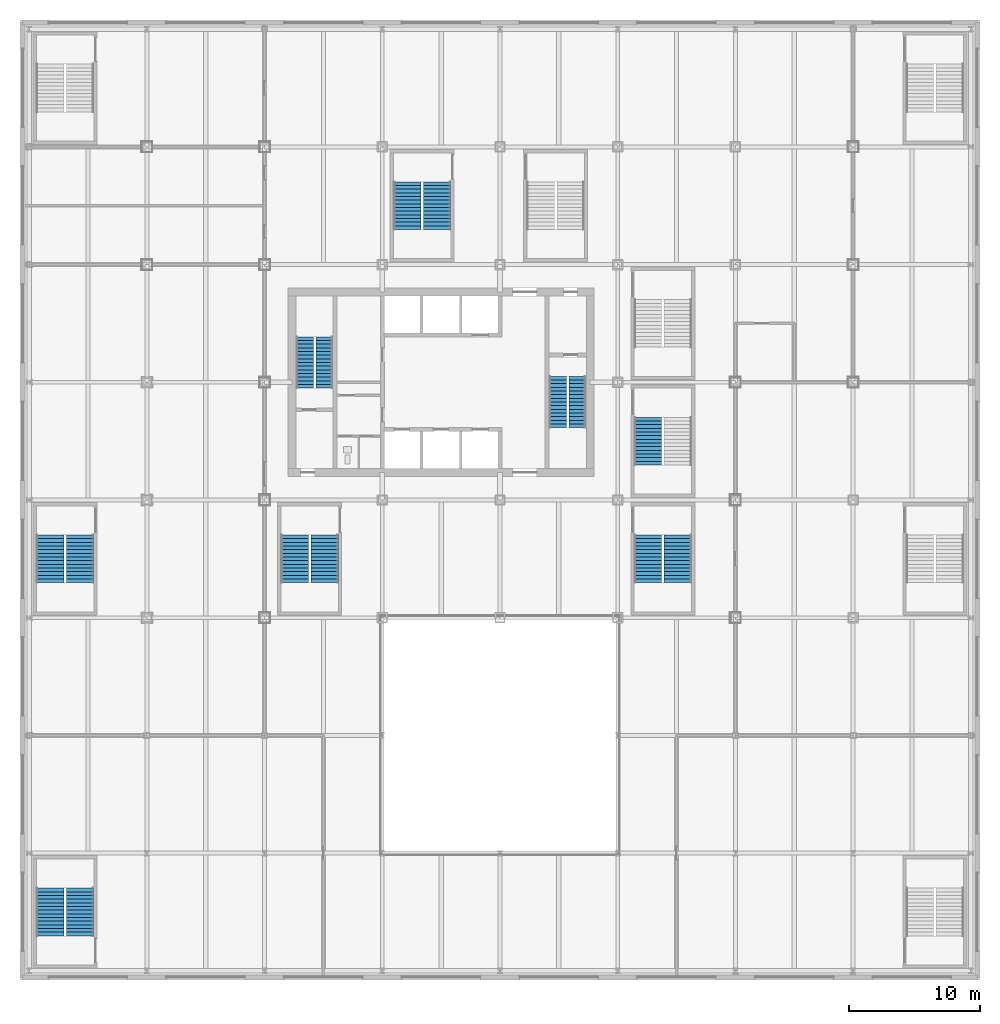
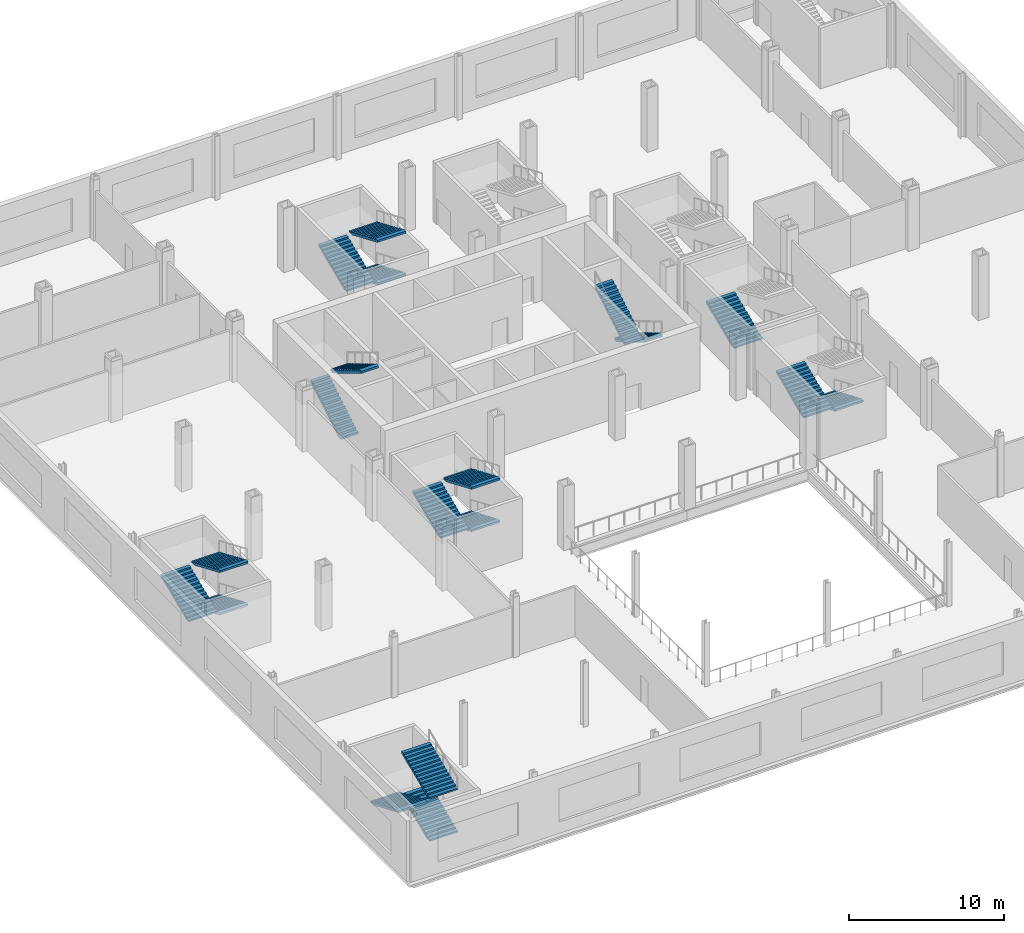
# One storey, part 16 of 28: 19 stair flights, 8 elements without a shape of their own.
"""IFC4 building model written with IfcOpenShell, lengths in metres."""

import ifcopenshell
import ifcopenshell.guid

model = None  # the IFC model being written
_history = None  # IfcOwnerHistory: only IFC2X3 demands one
_inside = {}  # id of a spatial element -> (the spatial element, [elements in it])
_under = {}  # id of a project, library or spatial element -> (it, [spatial elements below it])
_declared = {}  # id of a project -> (the project, [libraries it declares])
_typed = {}  # id of a type object -> (the type object, [elements of that type])
_made_of = {}  # id of a material, layer set ... -> (it, [elements and type objects made of it])


def new_model(schema):
    """Start an empty IFC model of exactly this schema.

    Asked for "IFC4X3", IfcOpenShell would pick the latest addendum, in which some entities
    have other attributes; the version numbers below select the first issue.
    IFC2X3 requires an IfcOwnerHistory on every rooted entity: one is made here for all.
    """
    global model, _history
    if schema == "IFC4X3":
        model = ifcopenshell.file(schema_version=(4, 3, 0, 0))
    else:
        model = ifcopenshell.file(schema=schema)
    _inside.clear()
    _under.clear()
    _declared.clear()
    _typed.clear()
    _made_of.clear()
    _history = None
    if model.schema == "IFC2X3":
        org = make("IfcOrganization", Name="unknown")
        user = make(
            "IfcPersonAndOrganization",
            ThePerson=make("IfcPerson", FamilyName="unknown"),
            TheOrganization=org,
        )
        app = make(
            "IfcApplication",
            ApplicationDeveloper=org,
            Version="unknown",
            ApplicationFullName="unknown",
            ApplicationIdentifier="unknown",
        )
        _history = make(
            "IfcOwnerHistory",
            OwningUser=user,
            OwningApplication=app,
            ChangeAction="ADDED",
            CreationDate=0,
        )
    return model


def make(cls, **values):
    """One entity of the class cls with the attributes given. An attribute that is None is left unset."""
    return model.create_entity(
        cls, **{name: value for name, value in values.items() if value is not None}
    )


def rooted(cls, **values):
    """An entity with a GlobalId (a new one), such as an element, a storey or a relation."""
    return make(cls, GlobalId=ifcopenshell.guid.new(), OwnerHistory=_history, **values)


def si_unit(unit_type, name, prefix=None):
    """IfcSIUnit, for example si_unit("LENGTHUNIT", "METRE", prefix="MILLI")."""
    return make("IfcSIUnit", UnitType=unit_type, Prefix=prefix, Name=name)


def assignment(units):
    """IfcUnitAssignment: the units of a project."""
    return None if units is None else make("IfcUnitAssignment", Units=units)


def point(xyz):
    """IfcCartesianPoint."""
    return None if xyz is None else make("IfcCartesianPoint", Coordinates=xyz)


def direction(xyz):
    """IfcDirection."""
    return None if xyz is None else make("IfcDirection", DirectionRatios=xyz)


def frame(location, z_axis=None, x_axis=None):
    """IfcAxis2Placement3D, a coordinate frame: its origin and axes. An axis left out is left unset."""
    return make(
        "IfcAxis2Placement3D",
        Location=point(location),
        Axis=direction(z_axis),
        RefDirection=direction(x_axis),
    )


def origin():
    """The frame at (0, 0, 0) with its axes left unset."""
    return frame((0.0, 0.0, 0.0))


def place(relative_to, where):
    """IfcLocalPlacement: puts the frame where relative to a parent placement (None: the world)."""
    return make(
        "IfcLocalPlacement", PlacementRelTo=relative_to, RelativePlacement=where
    )


def context(
    kind, dimensions, precision=None, world=None, true_north=None, identifier=None
):
    """IfcGeometricRepresentationContext, for example the 3D "Model" context."""
    return make(
        "IfcGeometricRepresentationContext",
        ContextIdentifier=identifier,
        ContextType=kind,
        CoordinateSpaceDimension=dimensions,
        Precision=precision,
        WorldCoordinateSystem=world,
        TrueNorth=true_north,
    )


def subcontext(parent, identifier, kind, view, scale=None):
    """IfcGeometricRepresentationSubContext, for example "Body" below "Model"."""
    return make(
        "IfcGeometricRepresentationSubContext",
        ContextIdentifier=identifier,
        ContextType=kind,
        ParentContext=parent,
        TargetScale=scale,
        TargetView=view,
    )


def project(units=None, contexts=None):
    """IfcProject with its units and contexts."""
    return rooted(
        "IfcProject",
        Name="project",
        RepresentationContexts=contexts,
        UnitsInContext=assignment(units),
    )


def spatial(cls, under=None, at=None, **own):
    """A site, building, storey or space (cls), placed at a placement, below another one or the project."""
    s = rooted(cls, ObjectPlacement=at, **own)
    if under is not None:
        _under.setdefault(under.id(), (under, []))[1].append(s)
    return s


def polyline(points):
    """IfcPolyline through the points."""
    return make("IfcPolyline", Points=[point(p) for p in points])


def outline(outer, holes=None, kind="AREA"):
    """IfcArbitraryClosedProfileDef: a profile drawn as a closed curve; with holes, ...WithVoids."""
    if holes is None:
        return make("IfcArbitraryClosedProfileDef", ProfileType=kind, OuterCurve=outer)
    return make(
        "IfcArbitraryProfileDefWithVoids",
        ProfileType=kind,
        OuterCurve=outer,
        InnerCurves=holes,
    )


def extrude(swept, where, along, depth):
    """IfcExtrudedAreaSolid: the profile swept, set in the frame where, extruded along a direction by depth."""
    return make(
        "IfcExtrudedAreaSolid",
        SweptArea=swept,
        Position=where,
        ExtrudedDirection=direction(along),
        Depth=depth,
    )


def shape(context_of_items, identifier, shape_type, items):
    """IfcShapeRepresentation: the items that make up one representation, for example the "Body"."""
    return make(
        "IfcShapeRepresentation",
        ContextOfItems=context_of_items,
        RepresentationIdentifier=identifier,
        RepresentationType=shape_type,
        Items=items,
    )


def material(Name=None, Category=None):
    """IfcMaterial."""
    return make("IfcMaterial", Name=Name, Category=Category)


def made_of(thing, what):
    """Note that an element or type object is made of a material, layer set ...; save() writes the relation."""
    if what is not None:
        _made_of.setdefault(what.id(), (what, []))[1].append(thing)
    return thing


def type_object(cls, material=None, **own):
    """A type object (cls), such as IfcWallType, which elements share."""
    return made_of(rooted(cls, **own), material)


def element(
    cls,
    number,
    at=None,
    inside=None,
    cuts=None,
    type_object=None,
    material=None,
    context=None,
    identifier="Body",
    shape_type=None,
    held_by="IfcProductDefinitionShape",
    body=None,
    shapes=None,
    **own,
):
    """One element of the class cls, such as IfcWall. Its Tag is "e" and its number.

    at: its placement. inside: the storey or other place that contains it. cuts: it is an
    opening in that element (IfcRelVoidsElement). A single representation is given by context,
    identifier, shape_type and body (its items); several are given by shapes. held_by: the class
    of the entity that holds the representations. save() writes the other relations.
    """
    e = rooted(cls, Tag="e%d" % number, ObjectPlacement=at, **own)
    if body is not None:
        shapes = [shape(context, identifier, shape_type, body)]
    if shapes is not None:
        e.Representation = make(held_by, Representations=shapes)
    if inside is not None:
        _inside.setdefault(inside.id(), (inside, []))[1].append(e)
    if cuts is not None:
        rooted(
            "IfcRelVoidsElement", RelatingBuildingElement=cuts, RelatedOpeningElement=e
        )
    if type_object is not None:
        _typed.setdefault(type_object.id(), (type_object, []))[1].append(e)
    return made_of(e, material)


def aggregate(whole, parts):
    """IfcRelAggregates: a whole, such as a stair, and the parts it consists of."""
    return rooted("IfcRelAggregates", RelatingObject=whole, RelatedObjects=parts)


def save(model, path):
    """Write the relations noted so far, then the file.

    IfcRelAggregates (storeys below a building ...), IfcRelContainedInSpatialStructure (elements
    in a storey), IfcRelDefinesByType, IfcRelAssociatesMaterial and IfcRelDeclares: one each for
    every whole, place, type object, material and project.
    """
    for whole, parts in _under.values():
        aggregate(whole, parts)
    for where, things in _inside.values():
        rooted(
            "IfcRelContainedInSpatialStructure",
            RelatedElements=things,
            RelatingStructure=where,
        )
    for kind, things in _typed.values():
        rooted("IfcRelDefinesByType", RelatedObjects=things, RelatingType=kind)
    for what, things in _made_of.values():
        rooted("IfcRelAssociatesMaterial", RelatedObjects=things, RelatingMaterial=what)
    for by, libraries in _declared.values():
        rooted("IfcRelDeclares", RelatingContext=by, RelatedDefinitions=libraries)
    model.write(path)


model = new_model("IFC4")

# Units and contexts
model_context = context("Model", 3, precision=1e-05, world=origin(), true_north=direction((0.0, 1.0)))
body_context = subcontext(model_context, "Body", "Model", "MODEL_VIEW")
ifc_project = project(units=[si_unit("LENGTHUNIT", "METRE"), si_unit("AREAUNIT", "SQUARE_METRE"), si_unit("VOLUMEUNIT", "CUBIC_METRE"), si_unit("PLANEANGLEUNIT", "RADIAN"), si_unit("MASSUNIT", "GRAM", prefix="KILO")], contexts=[model_context])

# Site, building, storey
site_placement = place(None, origin())
site = spatial("IfcSite", under=ifc_project, at=site_placement, CompositionType="ELEMENT")
building_placement = place(site_placement, origin())
building = spatial("IfcBuilding", under=site, at=building_placement, Name="Loomwork Tower", CompositionType="ELEMENT")
storey_placement = place(building_placement, frame((0.0, 0.0, 6.0)))
storey = spatial("IfcBuildingStorey", under=building, at=storey_placement, Name="L01", CompositionType="ELEMENT", Elevation=6.0)

# Stair, stair flights
ifc_material_1 = material(Name="Concrete 5000 psi (34 MPa) precast stair", Category="concrete")
stair_type_1 = type_object("IfcStairType", Name="Stair ST-A 30 risers 2850 wide", PredefinedType="HALF_TURN_STAIR", material=ifc_material_1)
stair_1_placement = place(storey_placement, origin())
stair_1 = element("IfcStair", 1, at=stair_1_placement, inside=storey, type_object=stair_type_1, Name="Stair A L01", PredefinedType="HALF_TURN_STAIR")
ifc_material_2 = material(Name="Concrete 5000 psi (34 MPa) precast stair", Category="concrete")
stair_flight_type_1 = type_object("IfcStairFlightType", Name="Stair flight ST-A 15 risers 1300 wide", PredefinedType="STRAIGHT", material=ifc_material_2)
stair_flight_1_placement = place(storey_placement, frame((12.074951171875, 17.550048828125, 0.0), z_axis=(0.0, 0.0, 1.0), x_axis=(0.0, 1.0, 0.0)))
stair_flight_1 = element("IfcStairFlight", 2, at=stair_flight_1_placement, type_object=stair_flight_type_1, Name="ST-A flight 1", NumberOfRisers=15, NumberOfTreads=14, PredefinedType="STRAIGHT", RiserHeight=0.166666667, TreadLength=0.28, context=body_context, shape_type="SweptSolid", body=[
    extrude(outline(polyline([(0.0, 0.0), (0.0, 0.166748046875), (0.280029296875, 0.166748046875), (0.280029296875, 0.333251953125), (0.56005859375, 0.333251953125), (0.56005859375, 0.5), (0.840087890625, 0.5), (0.840087890625, 0.666748046875), (1.1201171875, 0.666748046875), (1.1201171875, 0.833251953125), (1.39990234375, 0.833251953125), (1.39990234375, 1.0), (1.679931640625, 1.0), (1.679931640625, 1.166748046875), (1.9599609375, 1.166748046875), (1.9599609375, 1.333251953125), (2.239990234375, 1.333251953125), (2.239990234375, 1.5), (2.52001953125, 1.5), (2.52001953125, 1.666748046875), (2.800048828125, 1.666748046875), (2.800048828125, 1.833251953125), (3.080078125, 1.833251953125), (3.080078125, 2.0), (3.360107421875, 2.0), (3.360107421875, 2.166748046875), (3.639892578125, 2.166748046875), (3.639892578125, 2.333251953125), (3.919921875, 2.333251953125), (3.919921875, 2.5), (3.919921875, 2.158935546875), (0.29296875, 0.0), (0.0, 0.0)])), frame((0.0, 0.64990234375, 0.0), z_axis=(0.0, -1.0, 0.0), x_axis=(1.0, 0.0, 0.0)), (0.0, 0.0, 1.0), 1.300048828125),
])
stair_flight_2_placement = place(storey_placement, frame((13.574951171875, 21.469970703125, 2.5), z_axis=(0.0, 0.0, 1.0), x_axis=(0.0, -1.0, 0.0)))
stair_flight_2 = element("IfcStairFlight", 3, at=stair_flight_2_placement, type_object=stair_flight_type_1, Name="ST-A flight 2", NumberOfRisers=15, NumberOfTreads=14, PredefinedType="STRAIGHT", RiserHeight=0.166666667, TreadLength=0.28, context=body_context, shape_type="SweptSolid", body=[
    extrude(outline(polyline([(0.0, 0.0), (0.0, 0.166748046875), (0.280029296875, 0.166748046875), (0.280029296875, 0.333251953125), (0.56005859375, 0.333251953125), (0.56005859375, 0.5), (0.840087890625, 0.5), (0.840087890625, 0.666748046875), (1.1201171875, 0.666748046875), (1.1201171875, 0.833251953125), (1.39990234375, 0.833251953125), (1.39990234375, 1.0), (1.679931640625, 1.0), (1.679931640625, 1.166748046875), (1.9599609375, 1.166748046875), (1.9599609375, 1.333251953125), (2.239990234375, 1.333251953125), (2.239990234375, 1.5), (2.52001953125, 1.5), (2.52001953125, 1.666748046875), (2.800048828125, 1.666748046875), (2.800048828125, 1.833251953125), (3.080078125, 1.833251953125), (3.080078125, 2.0), (3.360107421875, 2.0), (3.360107421875, 2.166748046875), (3.639892578125, 2.166748046875), (3.639892578125, 2.333251953125), (3.919921875, 2.333251953125), (3.919921875, 2.5), (3.919921875, 2.158935546875), (0.29296875, 0.0), (0.0, 0.0)])), frame((0.0, 0.64990234375, 0.0), z_axis=(0.0, -1.0, 0.0), x_axis=(1.0, 0.0, 0.0)), (0.0, 0.0, 1.0), 1.300048828125),
])
aggregate(stair_1, [stair_flight_1, stair_flight_2])

ifc_material_3 = material(Name="Concrete 5000 psi (34 MPa) precast stair", Category="concrete")
stair_type_2 = type_object("IfcStairType", Name="Stair ST-B 30 risers 2850 wide", PredefinedType="HALF_TURN_STAIR", material=ifc_material_3)
stair_2_placement = place(storey_placement, origin())
stair_2 = element("IfcStair", 4, at=stair_2_placement, inside=storey, type_object=stair_type_2, Name="Stair B L01", PredefinedType="HALF_TURN_STAIR")
ifc_material_4 = material(Name="Concrete 5000 psi (34 MPa) precast stair", Category="concrete")
stair_flight_type_2 = type_object("IfcStairFlightType", Name="Stair flight ST-B 15 risers 1300 wide", PredefinedType="STRAIGHT", material=ifc_material_4)
stair_flight_3_placement = place(storey_placement, frame((32.925048828125, 18.449951171875, 0.0), z_axis=(0.0, 0.0, 1.0), x_axis=(0.0, -1.0, 0.0)))
stair_flight_3 = element("IfcStairFlight", 5, at=stair_flight_3_placement, type_object=stair_flight_type_2, Name="ST-B flight 1", NumberOfRisers=15, NumberOfTreads=14, PredefinedType="STRAIGHT", RiserHeight=0.166666667, TreadLength=0.28, context=body_context, shape_type="SweptSolid", body=[
    extrude(outline(polyline([(0.0, 0.0), (0.0, 0.166748046875), (0.280029296875, 0.166748046875), (0.280029296875, 0.333251953125), (0.56005859375, 0.333251953125), (0.56005859375, 0.5), (0.840087890625, 0.5), (0.840087890625, 0.666748046875), (1.1201171875, 0.666748046875), (1.1201171875, 0.833251953125), (1.39990234375, 0.833251953125), (1.39990234375, 1.0), (1.679931640625, 1.0), (1.679931640625, 1.166748046875), (1.9599609375, 1.166748046875), (1.9599609375, 1.333251953125), (2.239990234375, 1.333251953125), (2.239990234375, 1.5), (2.52001953125, 1.5), (2.52001953125, 1.666748046875), (2.800048828125, 1.666748046875), (2.800048828125, 1.833251953125), (3.080078125, 1.833251953125), (3.080078125, 2.0), (3.360107421875, 2.0), (3.360107421875, 2.166748046875), (3.639892578125, 2.166748046875), (3.639892578125, 2.333251953125), (3.919921875, 2.333251953125), (3.919921875, 2.5), (3.919921875, 2.158935546875), (0.29296875, 0.0), (0.0, 0.0)])), frame((0.0, 0.64990234375, 0.0), z_axis=(0.0, -1.0, 0.0), x_axis=(1.0, 0.0, 0.0)), (0.0, 0.0, 1.0), 1.300048828125),
])
stair_flight_4_placement = place(storey_placement, frame((31.425048828125, 14.530029296875, 2.5), z_axis=(0.0, 0.0, 1.0), x_axis=(0.0, 1.0, 0.0)))
stair_flight_4 = element("IfcStairFlight", 6, at=stair_flight_4_placement, type_object=stair_flight_type_2, Name="ST-B flight 2", NumberOfRisers=15, NumberOfTreads=14, PredefinedType="STRAIGHT", RiserHeight=0.166666667, TreadLength=0.28, context=body_context, shape_type="SweptSolid", body=[
    extrude(outline(polyline([(0.0, 0.0), (0.0, 0.166748046875), (0.280029296875, 0.166748046875), (0.280029296875, 0.333251953125), (0.56005859375, 0.333251953125), (0.56005859375, 0.5), (0.840087890625, 0.5), (0.840087890625, 0.666748046875), (1.1201171875, 0.666748046875), (1.1201171875, 0.833251953125), (1.39990234375, 0.833251953125), (1.39990234375, 1.0), (1.679931640625, 1.0), (1.679931640625, 1.166748046875), (1.9599609375, 1.166748046875), (1.9599609375, 1.333251953125), (2.239990234375, 1.333251953125), (2.239990234375, 1.5), (2.52001953125, 1.5), (2.52001953125, 1.666748046875), (2.800048828125, 1.666748046875), (2.800048828125, 1.833251953125), (3.080078125, 1.833251953125), (3.080078125, 2.0), (3.360107421875, 2.0), (3.360107421875, 2.166748046875), (3.639892578125, 2.166748046875), (3.639892578125, 2.333251953125), (3.919921875, 2.333251953125), (3.919921875, 2.5), (3.919921875, 2.158935546875), (0.29296875, 0.0), (0.0, 0.0)])), frame((0.0, 0.64990234375, 0.0), z_axis=(0.0, -1.0, 0.0), x_axis=(1.0, 0.0, 0.0)), (0.0, 0.0, 1.0), 1.300048828125),
])
aggregate(stair_2, [stair_flight_3, stair_flight_4])

ifc_material_5 = material(Name="Concrete 5000 psi (34 MPa) precast stair", Category="concrete")
stair_type_3 = type_object("IfcStairType", Name="Stair ST-S10P 42 risers of 119 4400 wide", PredefinedType="HALF_TURN_STAIR", material=ifc_material_5)
stair_3_placement = place(storey_placement, origin())
stair_3 = element("IfcStair", 7, at=stair_3_placement, inside=storey, type_object=stair_type_3, Name="Podium stair PS10 L01", PredefinedType="HALF_TURN_STAIR")
ifc_material_6 = material(Name="Concrete 5000 psi (34 MPa) precast stair", Category="concrete")
stair_flight_type_3 = type_object("IfcStairFlightType", Name="Stair flight ST-S10P 14 risers of 119 2100 wide", PredefinedType="STRAIGHT", material=ifc_material_6)
stair_flight_5_placement = place(storey_placement, frame((22.199951171875, 33.320068359375, 0.0), z_axis=(0.0, 0.0, 1.0), x_axis=(0.0, -1.0, 0.0)))
stair_flight_5 = element("IfcStairFlight", 8, at=stair_flight_5_placement, type_object=stair_flight_type_3, Name="ST-S10P flight 1", NumberOfRisers=14, NumberOfTreads=13, PredefinedType="STRAIGHT", RiserHeight=0.119047619, TreadLength=0.28, context=body_context, shape_type="SweptSolid", body=[
    extrude(outline(polyline([(0.0, 0.0), (0.0, 0.119140625), (0.280029296875, 0.119140625), (0.280029296875, 0.238037109375), (0.56005859375, 0.238037109375), (0.56005859375, 0.357177734375), (0.840087890625, 0.357177734375), (0.840087890625, 0.47607421875), (1.1201171875, 0.47607421875), (1.1201171875, 0.59521484375), (1.39990234375, 0.59521484375), (1.39990234375, 0.71435546875), (1.679931640625, 0.71435546875), (1.679931640625, 0.833251953125), (1.9599609375, 0.833251953125), (1.9599609375, 0.952392578125), (2.239990234375, 0.952392578125), (2.239990234375, 1.071533203125), (2.52001953125, 1.071533203125), (2.52001953125, 1.1904296875), (2.800048828125, 1.1904296875), (2.800048828125, 1.3095703125), (3.080078125, 1.3095703125), (3.080078125, 1.428466796875), (3.360107421875, 1.428466796875), (3.360107421875, 1.547607421875), (3.639892578125, 1.547607421875), (3.639892578125, 1.666748046875), (3.639892578125, 1.384765625), (0.383056640625, 0.0), (0.0, 0.0)])), frame((0.0, 1.050048828125, 0.0), z_axis=(0.0, -1.0, 0.0), x_axis=(1.0, 0.0, 0.0)), (0.0, 0.0, 1.0), 2.10009765625),
])
stair_flight_6_placement = place(storey_placement, frame((19.89990234375, 29.679931640625, 1.666748046875), z_axis=(0.0, 0.0, 1.0), x_axis=(0.0, 1.0, 0.0)))
stair_flight_6 = element("IfcStairFlight", 9, at=stair_flight_6_placement, type_object=stair_flight_type_3, Name="ST-S10P flight 2", NumberOfRisers=14, NumberOfTreads=13, PredefinedType="STRAIGHT", RiserHeight=0.119047619, TreadLength=0.28, context=body_context, shape_type="SweptSolid", body=[
    extrude(outline(polyline([(0.0, 0.0), (0.0, 0.119140625), (0.280029296875, 0.119140625), (0.280029296875, 0.238037109375), (0.56005859375, 0.238037109375), (0.56005859375, 0.357177734375), (0.840087890625, 0.357177734375), (0.840087890625, 0.47607421875), (1.1201171875, 0.47607421875), (1.1201171875, 0.59521484375), (1.39990234375, 0.59521484375), (1.39990234375, 0.71435546875), (1.679931640625, 0.71435546875), (1.679931640625, 0.833251953125), (1.9599609375, 0.833251953125), (1.9599609375, 0.952392578125), (2.239990234375, 0.952392578125), (2.239990234375, 1.071533203125), (2.52001953125, 1.071533203125), (2.52001953125, 1.1904296875), (2.800048828125, 1.1904296875), (2.800048828125, 1.3095703125), (3.080078125, 1.3095703125), (3.080078125, 1.428466796875), (3.360107421875, 1.428466796875), (3.360107421875, 1.547607421875), (3.639892578125, 1.547607421875), (3.639892578125, 1.666748046875), (3.639892578125, 1.384765625), (0.383056640625, 0.0), (0.0, 0.0)])), frame((0.0, 1.050048828125, 0.0), z_axis=(0.0, -1.0, 0.0), x_axis=(1.0, 0.0, 0.0)), (0.0, 0.0, 1.0), 2.10009765625),
])
stair_flight_7_placement = place(storey_placement, frame((22.199951171875, 33.320068359375, 3.333251953125), z_axis=(0.0, 0.0, 1.0), x_axis=(0.0, -1.0, 0.0)))
stair_flight_7 = element("IfcStairFlight", 10, at=stair_flight_7_placement, type_object=stair_flight_type_3, Name="ST-S10P flight 3", NumberOfRisers=14, NumberOfTreads=13, PredefinedType="STRAIGHT", RiserHeight=0.119047619, TreadLength=0.28, context=body_context, shape_type="SweptSolid", body=[
    extrude(outline(polyline([(0.0, 0.0), (0.0, 0.119140625), (0.280029296875, 0.119140625), (0.280029296875, 0.238037109375), (0.56005859375, 0.238037109375), (0.56005859375, 0.357177734375), (0.840087890625, 0.357177734375), (0.840087890625, 0.47607421875), (1.1201171875, 0.47607421875), (1.1201171875, 0.59521484375), (1.39990234375, 0.59521484375), (1.39990234375, 0.71435546875), (1.679931640625, 0.71435546875), (1.679931640625, 0.833251953125), (1.9599609375, 0.833251953125), (1.9599609375, 0.952392578125), (2.239990234375, 0.952392578125), (2.239990234375, 1.071533203125), (2.52001953125, 1.071533203125), (2.52001953125, 1.1904296875), (2.800048828125, 1.1904296875), (2.800048828125, 1.3095703125), (3.080078125, 1.3095703125), (3.080078125, 1.428466796875), (3.360107421875, 1.428466796875), (3.360107421875, 1.547607421875), (3.639892578125, 1.547607421875), (3.639892578125, 1.666748046875), (3.639892578125, 1.384765625), (0.383056640625, 0.0), (0.0, 0.0)])), frame((0.0, 1.050048828125, 0.0), z_axis=(0.0, -1.0, 0.0), x_axis=(1.0, 0.0, 0.0)), (0.0, 0.0, 1.0), 2.10009765625),
])
aggregate(stair_3, [stair_flight_5, stair_flight_6, stair_flight_7])

ifc_material_7 = material(Name="Concrete 5000 psi (34 MPa) precast stair", Category="concrete")
stair_type_4 = type_object("IfcStairType", Name="Stair ST-S12P 42 risers of 119 4400 wide", PredefinedType="HALF_TURN_STAIR", material=ifc_material_7)
stair_4_placement = place(storey_placement, origin())
stair_4 = element("IfcStair", 11, at=stair_4_placement, inside=storey, type_object=stair_type_4, Name="Podium stair PS12 L01", PredefinedType="HALF_TURN_STAIR")
ifc_material_8 = material(Name="Concrete 5000 psi (34 MPa) precast stair", Category="concrete")
stair_flight_type_4 = type_object("IfcStairFlightType", Name="Stair flight ST-S12P 14 risers of 119 2100 wide", PredefinedType="STRAIGHT", material=ifc_material_8)
stair_flight_8_placement = place(storey_placement, frame((13.60009765625, 6.320068359375, 0.0), z_axis=(0.0, 0.0, 1.0), x_axis=(0.0, -1.0, 0.0)))
stair_flight_8 = element("IfcStairFlight", 12, at=stair_flight_8_placement, type_object=stair_flight_type_4, Name="ST-S12P flight 1", NumberOfRisers=14, NumberOfTreads=13, PredefinedType="STRAIGHT", RiserHeight=0.119047619, TreadLength=0.28, context=body_context, shape_type="SweptSolid", body=[
    extrude(outline(polyline([(0.0, 0.0), (0.0, 0.119140625), (0.280029296875, 0.119140625), (0.280029296875, 0.238037109375), (0.56005859375, 0.238037109375), (0.56005859375, 0.357177734375), (0.840087890625, 0.357177734375), (0.840087890625, 0.47607421875), (1.1201171875, 0.47607421875), (1.1201171875, 0.59521484375), (1.39990234375, 0.59521484375), (1.39990234375, 0.71435546875), (1.679931640625, 0.71435546875), (1.679931640625, 0.833251953125), (1.9599609375, 0.833251953125), (1.9599609375, 0.952392578125), (2.239990234375, 0.952392578125), (2.239990234375, 1.071533203125), (2.52001953125, 1.071533203125), (2.52001953125, 1.1904296875), (2.800048828125, 1.1904296875), (2.800048828125, 1.3095703125), (3.080078125, 1.3095703125), (3.080078125, 1.428466796875), (3.360107421875, 1.428466796875), (3.360107421875, 1.547607421875), (3.639892578125, 1.547607421875), (3.639892578125, 1.666748046875), (3.639892578125, 1.384765625), (0.383056640625, 0.0), (0.0, 0.0)])), frame((0.0, 1.050048828125, 0.0), z_axis=(0.0, -1.0, 0.0), x_axis=(1.0, 0.0, 0.0)), (0.0, 0.0, 1.0), 2.10009765625),
])
stair_flight_9_placement = place(storey_placement, frame((11.300048828125, 2.679931640625, 1.666748046875), z_axis=(0.0, 0.0, 1.0), x_axis=(0.0, 1.0, 0.0)))
stair_flight_9 = element("IfcStairFlight", 13, at=stair_flight_9_placement, type_object=stair_flight_type_4, Name="ST-S12P flight 2", NumberOfRisers=14, NumberOfTreads=13, PredefinedType="STRAIGHT", RiserHeight=0.119047619, TreadLength=0.28, context=body_context, shape_type="SweptSolid", body=[
    extrude(outline(polyline([(0.0, 0.0), (0.0, 0.119140625), (0.280029296875, 0.119140625), (0.280029296875, 0.238037109375), (0.56005859375, 0.238037109375), (0.56005859375, 0.357177734375), (0.840087890625, 0.357177734375), (0.840087890625, 0.47607421875), (1.1201171875, 0.47607421875), (1.1201171875, 0.59521484375), (1.39990234375, 0.59521484375), (1.39990234375, 0.71435546875), (1.679931640625, 0.71435546875), (1.679931640625, 0.833251953125), (1.9599609375, 0.833251953125), (1.9599609375, 0.952392578125), (2.239990234375, 0.952392578125), (2.239990234375, 1.071533203125), (2.52001953125, 1.071533203125), (2.52001953125, 1.1904296875), (2.800048828125, 1.1904296875), (2.800048828125, 1.3095703125), (3.080078125, 1.3095703125), (3.080078125, 1.428466796875), (3.360107421875, 1.428466796875), (3.360107421875, 1.547607421875), (3.639892578125, 1.547607421875), (3.639892578125, 1.666748046875), (3.639892578125, 1.384765625), (0.383056640625, 0.0), (0.0, 0.0)])), frame((0.0, 1.050048828125, 0.0), z_axis=(0.0, -1.0, 0.0), x_axis=(1.0, 0.0, 0.0)), (0.0, 0.0, 1.0), 2.10009765625),
])
stair_flight_10_placement = place(storey_placement, frame((13.60009765625, 6.320068359375, 3.333251953125), z_axis=(0.0, 0.0, 1.0), x_axis=(0.0, -1.0, 0.0)))
stair_flight_10 = element("IfcStairFlight", 14, at=stair_flight_10_placement, type_object=stair_flight_type_4, Name="ST-S12P flight 3", NumberOfRisers=14, NumberOfTreads=13, PredefinedType="STRAIGHT", RiserHeight=0.119047619, TreadLength=0.28, context=body_context, shape_type="SweptSolid", body=[
    extrude(outline(polyline([(0.0, 0.0), (0.0, 0.119140625), (0.280029296875, 0.119140625), (0.280029296875, 0.238037109375), (0.56005859375, 0.238037109375), (0.56005859375, 0.357177734375), (0.840087890625, 0.357177734375), (0.840087890625, 0.47607421875), (1.1201171875, 0.47607421875), (1.1201171875, 0.59521484375), (1.39990234375, 0.59521484375), (1.39990234375, 0.71435546875), (1.679931640625, 0.71435546875), (1.679931640625, 0.833251953125), (1.9599609375, 0.833251953125), (1.9599609375, 0.952392578125), (2.239990234375, 0.952392578125), (2.239990234375, 1.071533203125), (2.52001953125, 1.071533203125), (2.52001953125, 1.1904296875), (2.800048828125, 1.1904296875), (2.800048828125, 1.3095703125), (3.080078125, 1.3095703125), (3.080078125, 1.428466796875), (3.360107421875, 1.428466796875), (3.360107421875, 1.547607421875), (3.639892578125, 1.547607421875), (3.639892578125, 1.666748046875), (3.639892578125, 1.384765625), (0.383056640625, 0.0), (0.0, 0.0)])), frame((0.0, 1.050048828125, 0.0), z_axis=(0.0, -1.0, 0.0), x_axis=(1.0, 0.0, 0.0)), (0.0, 0.0, 1.0), 2.10009765625),
])
aggregate(stair_4, [stair_flight_8, stair_flight_9, stair_flight_10])

ifc_material_9 = material(Name="Concrete 5000 psi (34 MPa) precast stair", Category="concrete")
stair_type_5 = type_object("IfcStairType", Name="Stair ST-S1P 42 risers of 119 4400 wide", PredefinedType="HALF_TURN_STAIR", material=ifc_material_9)
stair_5_placement = place(storey_placement, origin())
stair_5 = element("IfcStair", 15, at=stair_5_placement, inside=storey, type_object=stair_type_5, Name="Podium stair PS1 L01", PredefinedType="HALF_TURN_STAIR")
ifc_material_10 = material(Name="Concrete 5000 psi (34 MPa) precast stair", Category="concrete")
stair_flight_type_5 = type_object("IfcStairFlightType", Name="Stair flight ST-S1P 14 risers of 119 2100 wide", PredefinedType="STRAIGHT", material=ifc_material_10)
stair_flight_11_placement = place(storey_placement, frame((-5.10009765625, -24.320068359375, 0.0), z_axis=(0.0, 0.0, 1.0), x_axis=(0.0, 1.0, 0.0)))
stair_flight_11 = element("IfcStairFlight", 16, at=stair_flight_11_placement, type_object=stair_flight_type_5, Name="ST-S1P flight 1", NumberOfRisers=14, NumberOfTreads=13, PredefinedType="STRAIGHT", RiserHeight=0.119047619, TreadLength=0.28, context=body_context, shape_type="SweptSolid", body=[
    extrude(outline(polyline([(0.0, 0.0), (0.0, 0.119140625), (0.280029296875, 0.119140625), (0.280029296875, 0.238037109375), (0.56005859375, 0.238037109375), (0.56005859375, 0.357177734375), (0.840087890625, 0.357177734375), (0.840087890625, 0.47607421875), (1.1201171875, 0.47607421875), (1.1201171875, 0.59521484375), (1.39990234375, 0.59521484375), (1.39990234375, 0.71435546875), (1.679931640625, 0.71435546875), (1.679931640625, 0.833251953125), (1.9599609375, 0.833251953125), (1.9599609375, 0.952392578125), (2.239990234375, 0.952392578125), (2.239990234375, 1.071533203125), (2.52001953125, 1.071533203125), (2.52001953125, 1.1904296875), (2.800048828125, 1.1904296875), (2.800048828125, 1.3095703125), (3.080078125, 1.3095703125), (3.080078125, 1.428466796875), (3.360107421875, 1.428466796875), (3.360107421875, 1.547607421875), (3.639892578125, 1.547607421875), (3.639892578125, 1.666748046875), (3.639892578125, 1.384765625), (0.383056640625, 0.0), (0.0, 0.0)])), frame((0.0, 1.050048828125, 0.0), z_axis=(0.0, -1.0, 0.0), x_axis=(1.0, 0.0, 0.0)), (0.0, 0.0, 1.0), 2.10009765625),
])
stair_flight_12_placement = place(storey_placement, frame((-7.39990234375, -20.679931640625, 1.666748046875), z_axis=(0.0, 0.0, 1.0), x_axis=(0.0, -1.0, 0.0)))
stair_flight_12 = element("IfcStairFlight", 17, at=stair_flight_12_placement, type_object=stair_flight_type_5, Name="ST-S1P flight 2", NumberOfRisers=14, NumberOfTreads=13, PredefinedType="STRAIGHT", RiserHeight=0.119047619, TreadLength=0.28, context=body_context, shape_type="SweptSolid", body=[
    extrude(outline(polyline([(0.0, 0.0), (0.0, 0.119140625), (0.280029296875, 0.119140625), (0.280029296875, 0.238037109375), (0.56005859375, 0.238037109375), (0.56005859375, 0.357177734375), (0.840087890625, 0.357177734375), (0.840087890625, 0.47607421875), (1.1201171875, 0.47607421875), (1.1201171875, 0.59521484375), (1.39990234375, 0.59521484375), (1.39990234375, 0.71435546875), (1.679931640625, 0.71435546875), (1.679931640625, 0.833251953125), (1.9599609375, 0.833251953125), (1.9599609375, 0.952392578125), (2.239990234375, 0.952392578125), (2.239990234375, 1.071533203125), (2.52001953125, 1.071533203125), (2.52001953125, 1.1904296875), (2.800048828125, 1.1904296875), (2.800048828125, 1.3095703125), (3.080078125, 1.3095703125), (3.080078125, 1.428466796875), (3.360107421875, 1.428466796875), (3.360107421875, 1.547607421875), (3.639892578125, 1.547607421875), (3.639892578125, 1.666748046875), (3.639892578125, 1.384765625), (0.383056640625, 0.0), (0.0, 0.0)])), frame((0.0, 1.050048828125, 0.0), z_axis=(0.0, -1.0, 0.0), x_axis=(1.0, 0.0, 0.0)), (0.0, 0.0, 1.0), 2.10009765625),
])
stair_flight_13_placement = place(storey_placement, frame((-5.10009765625, -24.320068359375, 3.333251953125), z_axis=(0.0, 0.0, 1.0), x_axis=(0.0, 1.0, 0.0)))
stair_flight_13 = element("IfcStairFlight", 18, at=stair_flight_13_placement, type_object=stair_flight_type_5, Name="ST-S1P flight 3", NumberOfRisers=14, NumberOfTreads=13, PredefinedType="STRAIGHT", RiserHeight=0.119047619, TreadLength=0.28, context=body_context, shape_type="SweptSolid", body=[
    extrude(outline(polyline([(0.0, 0.0), (0.0, 0.119140625), (0.280029296875, 0.119140625), (0.280029296875, 0.238037109375), (0.56005859375, 0.238037109375), (0.56005859375, 0.357177734375), (0.840087890625, 0.357177734375), (0.840087890625, 0.47607421875), (1.1201171875, 0.47607421875), (1.1201171875, 0.59521484375), (1.39990234375, 0.59521484375), (1.39990234375, 0.71435546875), (1.679931640625, 0.71435546875), (1.679931640625, 0.833251953125), (1.9599609375, 0.833251953125), (1.9599609375, 0.952392578125), (2.239990234375, 0.952392578125), (2.239990234375, 1.071533203125), (2.52001953125, 1.071533203125), (2.52001953125, 1.1904296875), (2.800048828125, 1.1904296875), (2.800048828125, 1.3095703125), (3.080078125, 1.3095703125), (3.080078125, 1.428466796875), (3.360107421875, 1.428466796875), (3.360107421875, 1.547607421875), (3.639892578125, 1.547607421875), (3.639892578125, 1.666748046875), (3.639892578125, 1.384765625), (0.383056640625, 0.0), (0.0, 0.0)])), frame((0.0, 1.050048828125, 0.0), z_axis=(0.0, -1.0, 0.0), x_axis=(1.0, 0.0, 0.0)), (0.0, 0.0, 1.0), 2.10009765625),
])
aggregate(stair_5, [stair_flight_11, stair_flight_12, stair_flight_13])

ifc_material_11 = material(Name="Concrete 5000 psi (34 MPa) precast stair", Category="concrete")
stair_type_6 = type_object("IfcStairType", Name="Stair ST-S5P 42 risers of 119 4400 wide", PredefinedType="HALF_TURN_STAIR", material=ifc_material_11)
stair_6_placement = place(storey_placement, origin())
stair_6 = element("IfcStair", 19, at=stair_6_placement, inside=storey, type_object=stair_type_6, Name="Podium stair PS5 L01", PredefinedType="HALF_TURN_STAIR")
ifc_material_12 = material(Name="Concrete 5000 psi (34 MPa) precast stair", Category="concrete")
stair_flight_type_6 = type_object("IfcStairFlightType", Name="Stair flight ST-S5P 14 risers of 119 2100 wide", PredefinedType="STRAIGHT", material=ifc_material_12)
stair_flight_14_placement = place(storey_placement, frame((-5.10009765625, 6.320068359375, 0.0), z_axis=(0.0, 0.0, 1.0), x_axis=(0.0, -1.0, 0.0)))
stair_flight_14 = element("IfcStairFlight", 20, at=stair_flight_14_placement, type_object=stair_flight_type_6, Name="ST-S5P flight 1", NumberOfRisers=14, NumberOfTreads=13, PredefinedType="STRAIGHT", RiserHeight=0.119047619, TreadLength=0.28, context=body_context, shape_type="SweptSolid", body=[
    extrude(outline(polyline([(0.0, 0.0), (0.0, 0.119140625), (0.280029296875, 0.119140625), (0.280029296875, 0.238037109375), (0.56005859375, 0.238037109375), (0.56005859375, 0.357177734375), (0.840087890625, 0.357177734375), (0.840087890625, 0.47607421875), (1.1201171875, 0.47607421875), (1.1201171875, 0.59521484375), (1.39990234375, 0.59521484375), (1.39990234375, 0.71435546875), (1.679931640625, 0.71435546875), (1.679931640625, 0.833251953125), (1.9599609375, 0.833251953125), (1.9599609375, 0.952392578125), (2.239990234375, 0.952392578125), (2.239990234375, 1.071533203125), (2.52001953125, 1.071533203125), (2.52001953125, 1.1904296875), (2.800048828125, 1.1904296875), (2.800048828125, 1.3095703125), (3.080078125, 1.3095703125), (3.080078125, 1.428466796875), (3.360107421875, 1.428466796875), (3.360107421875, 1.547607421875), (3.639892578125, 1.547607421875), (3.639892578125, 1.666748046875), (3.639892578125, 1.384765625), (0.383056640625, 0.0), (0.0, 0.0)])), frame((0.0, 1.050048828125, 0.0), z_axis=(0.0, -1.0, 0.0), x_axis=(1.0, 0.0, 0.0)), (0.0, 0.0, 1.0), 2.10009765625),
])
stair_flight_15_placement = place(storey_placement, frame((-7.39990234375, 2.679931640625, 1.666748046875), z_axis=(0.0, 0.0, 1.0), x_axis=(0.0, 1.0, 0.0)))
stair_flight_15 = element("IfcStairFlight", 21, at=stair_flight_15_placement, type_object=stair_flight_type_6, Name="ST-S5P flight 2", NumberOfRisers=14, NumberOfTreads=13, PredefinedType="STRAIGHT", RiserHeight=0.119047619, TreadLength=0.28, context=body_context, shape_type="SweptSolid", body=[
    extrude(outline(polyline([(0.0, 0.0), (0.0, 0.119140625), (0.280029296875, 0.119140625), (0.280029296875, 0.238037109375), (0.56005859375, 0.238037109375), (0.56005859375, 0.357177734375), (0.840087890625, 0.357177734375), (0.840087890625, 0.47607421875), (1.1201171875, 0.47607421875), (1.1201171875, 0.59521484375), (1.39990234375, 0.59521484375), (1.39990234375, 0.71435546875), (1.679931640625, 0.71435546875), (1.679931640625, 0.833251953125), (1.9599609375, 0.833251953125), (1.9599609375, 0.952392578125), (2.239990234375, 0.952392578125), (2.239990234375, 1.071533203125), (2.52001953125, 1.071533203125), (2.52001953125, 1.1904296875), (2.800048828125, 1.1904296875), (2.800048828125, 1.3095703125), (3.080078125, 1.3095703125), (3.080078125, 1.428466796875), (3.360107421875, 1.428466796875), (3.360107421875, 1.547607421875), (3.639892578125, 1.547607421875), (3.639892578125, 1.666748046875), (3.639892578125, 1.384765625), (0.383056640625, 0.0), (0.0, 0.0)])), frame((0.0, 1.050048828125, 0.0), z_axis=(0.0, -1.0, 0.0), x_axis=(1.0, 0.0, 0.0)), (0.0, 0.0, 1.0), 2.10009765625),
])
stair_flight_16_placement = place(storey_placement, frame((-5.10009765625, 6.320068359375, 3.333251953125), z_axis=(0.0, 0.0, 1.0), x_axis=(0.0, -1.0, 0.0)))
stair_flight_16 = element("IfcStairFlight", 22, at=stair_flight_16_placement, type_object=stair_flight_type_6, Name="ST-S5P flight 3", NumberOfRisers=14, NumberOfTreads=13, PredefinedType="STRAIGHT", RiserHeight=0.119047619, TreadLength=0.28, context=body_context, shape_type="SweptSolid", body=[
    extrude(outline(polyline([(0.0, 0.0), (0.0, 0.119140625), (0.280029296875, 0.119140625), (0.280029296875, 0.238037109375), (0.56005859375, 0.238037109375), (0.56005859375, 0.357177734375), (0.840087890625, 0.357177734375), (0.840087890625, 0.47607421875), (1.1201171875, 0.47607421875), (1.1201171875, 0.59521484375), (1.39990234375, 0.59521484375), (1.39990234375, 0.71435546875), (1.679931640625, 0.71435546875), (1.679931640625, 0.833251953125), (1.9599609375, 0.833251953125), (1.9599609375, 0.952392578125), (2.239990234375, 0.952392578125), (2.239990234375, 1.071533203125), (2.52001953125, 1.071533203125), (2.52001953125, 1.1904296875), (2.800048828125, 1.1904296875), (2.800048828125, 1.3095703125), (3.080078125, 1.3095703125), (3.080078125, 1.428466796875), (3.360107421875, 1.428466796875), (3.360107421875, 1.547607421875), (3.639892578125, 1.547607421875), (3.639892578125, 1.666748046875), (3.639892578125, 1.384765625), (0.383056640625, 0.0), (0.0, 0.0)])), frame((0.0, 1.050048828125, 0.0), z_axis=(0.0, -1.0, 0.0), x_axis=(1.0, 0.0, 0.0)), (0.0, 0.0, 1.0), 2.10009765625),
])
aggregate(stair_6, [stair_flight_14, stair_flight_15, stair_flight_16])

ifc_material_13 = material(Name="Concrete 5000 psi (34 MPa) precast stair", Category="concrete")
stair_type_7 = type_object("IfcStairType", Name="Stair ST-S7P 42 risers of 119 4400 wide", PredefinedType="HALF_TURN_STAIR", material=ifc_material_13)
stair_7_placement = place(storey_placement, origin())
stair_7 = element("IfcStair", 23, at=stair_7_placement, inside=storey, type_object=stair_type_7, Name="Podium stair PS7 L01", PredefinedType="HALF_TURN_STAIR")
ifc_material_14 = material(Name="Concrete 5000 psi (34 MPa) precast stair", Category="concrete")
stair_flight_type_7 = type_object("IfcStairFlightType", Name="Stair flight ST-S7P 14 risers of 119 2100 wide", PredefinedType="STRAIGHT", material=ifc_material_14)
stair_flight_17_placement = place(storey_placement, frame((40.60009765625, 6.320068359375, 0.0), z_axis=(0.0, 0.0, 1.0), x_axis=(0.0, -1.0, 0.0)))
stair_flight_17 = element("IfcStairFlight", 24, at=stair_flight_17_placement, type_object=stair_flight_type_7, Name="ST-S7P flight 1", NumberOfRisers=14, NumberOfTreads=13, PredefinedType="STRAIGHT", RiserHeight=0.119047619, TreadLength=0.28, context=body_context, shape_type="SweptSolid", body=[
    extrude(outline(polyline([(0.0, 0.0), (0.0, 0.119140625), (0.280029296875, 0.119140625), (0.280029296875, 0.238037109375), (0.56005859375, 0.238037109375), (0.56005859375, 0.357177734375), (0.840087890625, 0.357177734375), (0.840087890625, 0.47607421875), (1.1201171875, 0.47607421875), (1.1201171875, 0.59521484375), (1.39990234375, 0.59521484375), (1.39990234375, 0.71435546875), (1.679931640625, 0.71435546875), (1.679931640625, 0.833251953125), (1.9599609375, 0.833251953125), (1.9599609375, 0.952392578125), (2.239990234375, 0.952392578125), (2.239990234375, 1.071533203125), (2.52001953125, 1.071533203125), (2.52001953125, 1.1904296875), (2.800048828125, 1.1904296875), (2.800048828125, 1.3095703125), (3.080078125, 1.3095703125), (3.080078125, 1.428466796875), (3.360107421875, 1.428466796875), (3.360107421875, 1.547607421875), (3.639892578125, 1.547607421875), (3.639892578125, 1.666748046875), (3.639892578125, 1.384765625), (0.383056640625, 0.0), (0.0, 0.0)])), frame((0.0, 1.050048828125, 0.0), z_axis=(0.0, -1.0, 0.0), x_axis=(1.0, 0.0, 0.0)), (0.0, 0.0, 1.0), 2.10009765625),
])
stair_flight_18_placement = place(storey_placement, frame((38.300048828125, 2.679931640625, 1.666748046875), z_axis=(0.0, 0.0, 1.0), x_axis=(0.0, 1.0, 0.0)))
stair_flight_18 = element("IfcStairFlight", 25, at=stair_flight_18_placement, type_object=stair_flight_type_7, Name="ST-S7P flight 2", NumberOfRisers=14, NumberOfTreads=13, PredefinedType="STRAIGHT", RiserHeight=0.119047619, TreadLength=0.28, context=body_context, shape_type="SweptSolid", body=[
    extrude(outline(polyline([(0.0, 0.0), (0.0, 0.119140625), (0.280029296875, 0.119140625), (0.280029296875, 0.238037109375), (0.56005859375, 0.238037109375), (0.56005859375, 0.357177734375), (0.840087890625, 0.357177734375), (0.840087890625, 0.47607421875), (1.1201171875, 0.47607421875), (1.1201171875, 0.59521484375), (1.39990234375, 0.59521484375), (1.39990234375, 0.71435546875), (1.679931640625, 0.71435546875), (1.679931640625, 0.833251953125), (1.9599609375, 0.833251953125), (1.9599609375, 0.952392578125), (2.239990234375, 0.952392578125), (2.239990234375, 1.071533203125), (2.52001953125, 1.071533203125), (2.52001953125, 1.1904296875), (2.800048828125, 1.1904296875), (2.800048828125, 1.3095703125), (3.080078125, 1.3095703125), (3.080078125, 1.428466796875), (3.360107421875, 1.428466796875), (3.360107421875, 1.547607421875), (3.639892578125, 1.547607421875), (3.639892578125, 1.666748046875), (3.639892578125, 1.384765625), (0.383056640625, 0.0), (0.0, 0.0)])), frame((0.0, 1.050048828125, 0.0), z_axis=(0.0, -1.0, 0.0), x_axis=(1.0, 0.0, 0.0)), (0.0, 0.0, 1.0), 2.10009765625),
])
aggregate(stair_7, [stair_flight_17, stair_flight_18])

# Stair, stair flight
ifc_material_15 = material(Name="Concrete 5000 psi (34 MPa) precast stair", Category="concrete")
stair_type_8 = type_object("IfcStairType", Name="Stair ST-S8P 42 risers of 119 4400 wide", PredefinedType="HALF_TURN_STAIR", material=ifc_material_15)
stair_8_placement = place(storey_placement, origin())
stair_8 = element("IfcStair", 26, at=stair_8_placement, inside=storey, type_object=stair_type_8, Name="Podium stair PS8 L01", PredefinedType="HALF_TURN_STAIR")
ifc_material_16 = material(Name="Concrete 5000 psi (34 MPa) precast stair", Category="concrete")
stair_flight_type_8 = type_object("IfcStairFlightType", Name="Stair flight ST-S8P 14 risers of 119 2100 wide", PredefinedType="STRAIGHT", material=ifc_material_16)
stair_flight_19_placement = place(storey_placement, frame((38.300048828125, 11.679931640625, 1.666748046875), z_axis=(0.0, 0.0, 1.0), x_axis=(0.0, 1.0, 0.0)))
stair_flight_19 = element("IfcStairFlight", 27, at=stair_flight_19_placement, type_object=stair_flight_type_8, Name="ST-S8P flight 2", NumberOfRisers=14, NumberOfTreads=13, PredefinedType="STRAIGHT", RiserHeight=0.119047619, TreadLength=0.28, context=body_context, shape_type="SweptSolid", body=[
    extrude(outline(polyline([(0.0, 0.0), (0.0, 0.119140625), (0.280029296875, 0.119140625), (0.280029296875, 0.238037109375), (0.56005859375, 0.238037109375), (0.56005859375, 0.357177734375), (0.840087890625, 0.357177734375), (0.840087890625, 0.47607421875), (1.1201171875, 0.47607421875), (1.1201171875, 0.59521484375), (1.39990234375, 0.59521484375), (1.39990234375, 0.71435546875), (1.679931640625, 0.71435546875), (1.679931640625, 0.833251953125), (1.9599609375, 0.833251953125), (1.9599609375, 0.952392578125), (2.239990234375, 0.952392578125), (2.239990234375, 1.071533203125), (2.52001953125, 1.071533203125), (2.52001953125, 1.1904296875), (2.800048828125, 1.1904296875), (2.800048828125, 1.3095703125), (3.080078125, 1.3095703125), (3.080078125, 1.428466796875), (3.360107421875, 1.428466796875), (3.360107421875, 1.547607421875), (3.639892578125, 1.547607421875), (3.639892578125, 1.666748046875), (3.639892578125, 1.384765625), (0.383056640625, 0.0), (0.0, 0.0)])), frame((0.0, 1.050048828125, 0.0), z_axis=(0.0, -1.0, 0.0), x_axis=(1.0, 0.0, 0.0)), (0.0, 0.0, 1.0), 2.10009765625),
])
aggregate(stair_8, [stair_flight_19])

save(model, "model.ifc")
